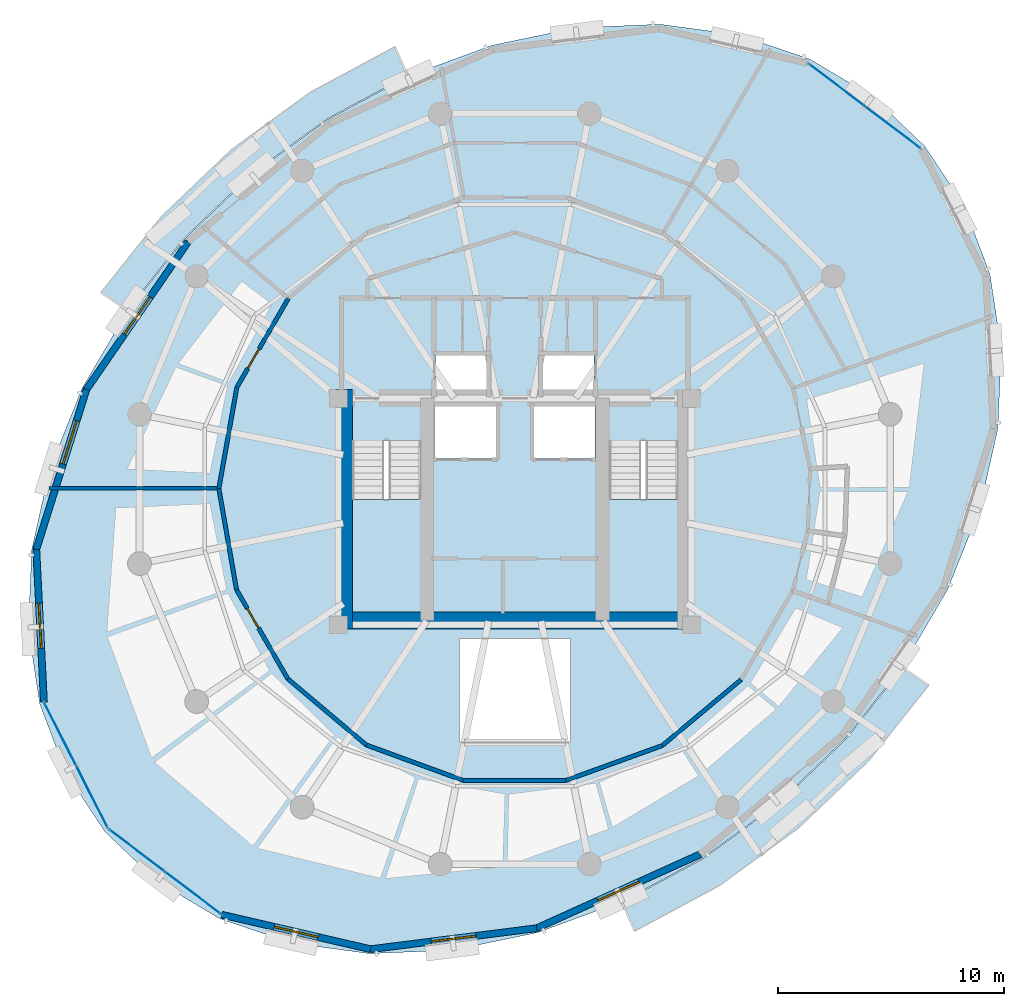
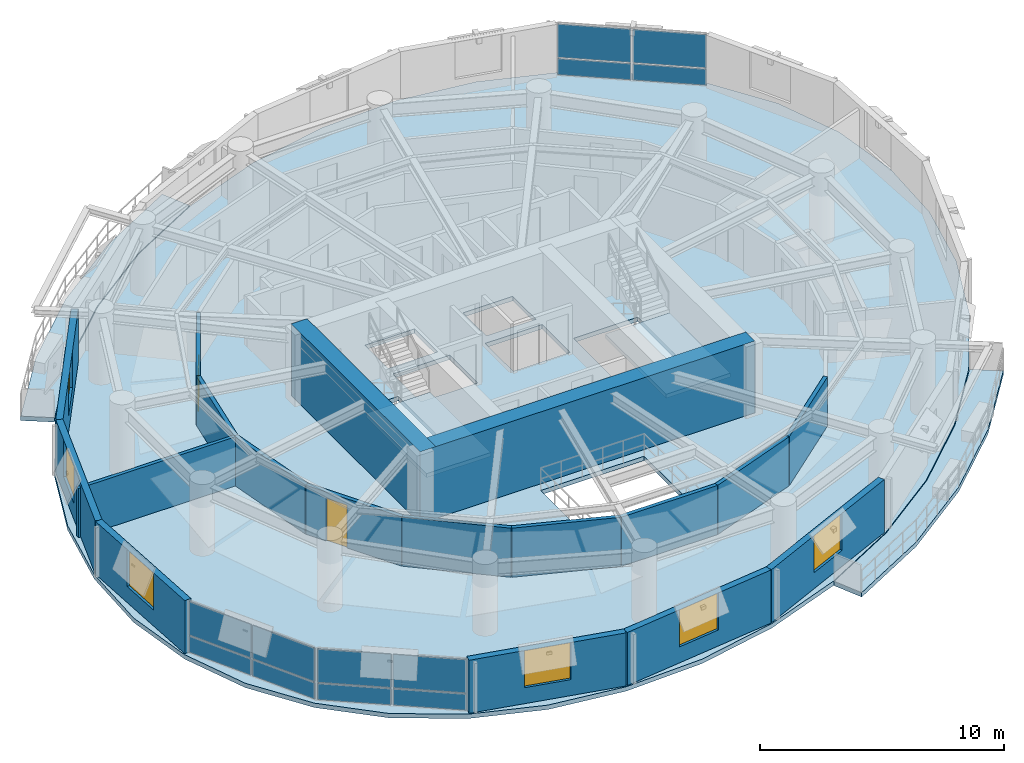
# One storey, part 7 of 12: 18 walls, 12 plates, 6 windows, 5 slabs, 2 doors, 8 openings, 5 elements without a shape of their own.
"""IFC4 building model written with IfcOpenShell, lengths in metres."""

from ifc_helpers import new_model, si_unit, direction, frame, frame_2d, origin, origin_2d, place, context, subcontext, project, spatial, polyline, rectangle, outline, extrude, material, layer, layer_set, type_object, element, fill, aggregate, save


model = new_model("IFC4")

# Units and contexts
model_context = context("Model", 3, precision=1e-05, world=origin(), true_north=direction((0.0, 1.0)))
body_context = subcontext(model_context, "Body", "Model", "MODEL_VIEW")
ifc_project = project(units=[si_unit("LENGTHUNIT", "METRE"), si_unit("AREAUNIT", "SQUARE_METRE"), si_unit("VOLUMEUNIT", "CUBIC_METRE"), si_unit("PLANEANGLEUNIT", "RADIAN"), si_unit("MASSUNIT", "GRAM", prefix="KILO"), si_unit("THERMODYNAMICTEMPERATUREUNIT", "KELVIN"), si_unit("POWERUNIT", "WATT")], contexts=[model_context])

# Site, building, storey
site_placement = place(None, origin())
site = spatial("IfcSite", under=ifc_project, at=site_placement, CompositionType="ELEMENT")
building_placement = place(site_placement, origin())
building = spatial("IfcBuilding", under=site, at=building_placement, Name="Ocrelia Relay Tower", CompositionType="ELEMENT")
storey_placement = place(building_placement, frame((0.0, 0.0, 198.800048828125)))
storey = spatial("IfcBuildingStorey", under=building, at=storey_placement, Name="L48", CompositionType="ELEMENT", Elevation=198.800048828125)

# Curtain wall, plates
ifc_material_1 = material(Name="Aluminium and solar-control low-E glass", Category="aluminium")
ifc_layer_1 = layer(ifc_material_1, 0.179931640625, Name="Aluminium and solar-control low-E glass")
ifc_layer_set_1 = layer_set([ifc_layer_1], Name="Aluminium and solar-control low-E glass")
curtain_wall_type = type_object("IfcCurtainWallType", Name="CW-SYS-Z3-CLOU", PredefinedType="NOTDEFINED", material=ifc_layer_set_1)
curtain_wall_1_placement = place(storey_placement, origin())
curtain_wall_1 = element("IfcCurtainWall", 1, at=curtain_wall_1_placement, inside=storey, type_object=curtain_wall_type, Name="L48 Elliptical Tower Curtain Wall Bay 01", PredefinedType="NOTDEFINED")
ifc_material_2 = material(Name="Clear double-glazed low-E glass", Category="glass")
ifc_layer_2 = layer(ifc_material_2, 0.031982421875, Name="Clear double-glazed low-E glass")
ifc_layer_set_2 = layer_set([ifc_layer_2], Name="Clear double-glazed low-E glass")
plate_type = type_object("IfcPlateType", Name="CW-SYS-Z3-CLOU-PNL", PredefinedType="CURTAIN_PANEL", material=ifc_layer_set_2)
plate_1_placement = place(storey_placement, frame((50.686279296875, 41.967529296875, 0.059814453125), z_axis=(0.0, 0.0, 1.0), x_axis=(-0.79737761196, 0.603480690615, 0.0)))
plate_1 = element("IfcPlate", 2, at=plate_1_placement, type_object=plate_type, Name="CW-Z3 panel 1.1", PredefinedType="CURTAIN_PANEL", context=body_context, shape_type="SweptSolid", body=[
    extrude(rectangle(XDim=3.0439453125, YDim=0.031982421875, at=origin_2d()), origin(), (0.0, 0.0, 1.0), 0.81005859375),
])
plate_2_placement = place(storey_placement, frame((50.686279296875, 41.967529296875, 0.929931640625), z_axis=(0.0, 0.0, 1.0), x_axis=(-0.79737761196, 0.603480690615, 0.0)))
plate_2 = element("IfcPlate", 3, at=plate_2_placement, type_object=plate_type, Name="CW-Z3 panel 1.2", PredefinedType="CURTAIN_PANEL", context=body_context, shape_type="SweptSolid", body=[
    extrude(rectangle(XDim=3.0439453125, YDim=0.031982421875, at=origin_2d()), origin(), (0.0, 0.0, 1.0), 1.669921875),
])
plate_3_placement = place(storey_placement, frame((48.207275390625, 43.84375, 0.059814453125), z_axis=(0.0, 0.0, 1.0), x_axis=(-0.79737761196, 0.603480690615, 0.0)))
plate_3 = element("IfcPlate", 4, at=plate_3_placement, type_object=plate_type, Name="CW-Z3 panel 2.1", PredefinedType="CURTAIN_PANEL", context=body_context, shape_type="SweptSolid", body=[
    extrude(rectangle(XDim=3.0439453125, YDim=0.031982421875, at=origin_2d()), origin(), (0.0, 0.0, 1.0), 0.81005859375),
])
plate_4_placement = place(storey_placement, frame((48.207275390625, 43.84375, 0.929931640625), z_axis=(0.0, 0.0, 1.0), x_axis=(-0.79737761196, 0.603480690615, 0.0)))
plate_4 = element("IfcPlate", 5, at=plate_4_placement, type_object=plate_type, Name="CW-Z3 panel 2.2", PredefinedType="CURTAIN_PANEL", context=body_context, shape_type="SweptSolid", body=[
    extrude(rectangle(XDim=3.0439453125, YDim=0.031982421875, at=origin_2d()), origin(), (0.0, 0.0, 1.0), 1.669921875),
])
aggregate(curtain_wall_1, [plate_1, plate_2, plate_3, plate_4])

curtain_wall_2_placement = place(storey_placement, origin())
curtain_wall_2 = element("IfcCurtainWall", 6, at=curtain_wall_2_placement, inside=storey, type_object=curtain_wall_type, Name="L48 Elliptical Tower Curtain Wall Bay 09", PredefinedType="NOTDEFINED")
plate_5_placement = place(storey_placement, frame((13.92236328125, 15.177001953125, 0.059814453125), z_axis=(0.0, 0.0, 1.0), x_axis=(0.4527377224, -0.891643737552, 0.0)))
plate_5 = element("IfcPlate", 7, at=plate_5_placement, type_object=plate_type, Name="CW-Z3 panel 1.1", PredefinedType="CURTAIN_PANEL", context=body_context, shape_type="SweptSolid", body=[
    extrude(rectangle(XDim=3.0439453125, YDim=0.031982421875, at=origin_2d()), origin(), (0.0, 0.0, 1.0), 0.81005859375),
])
plate_6_placement = place(storey_placement, frame((13.92236328125, 15.177001953125, 0.929931640625), z_axis=(0.0, 0.0, 1.0), x_axis=(0.4527377224, -0.891643737552, 0.0)))
plate_6 = element("IfcPlate", 8, at=plate_6_placement, type_object=plate_type, Name="CW-Z3 panel 1.2", PredefinedType="CURTAIN_PANEL", context=body_context, shape_type="SweptSolid", body=[
    extrude(rectangle(XDim=3.0439453125, YDim=0.031982421875, at=origin_2d()), origin(), (0.0, 0.0, 1.0), 1.669921875),
])
plate_7_placement = place(storey_placement, frame((15.329833984375, 12.405029296875, 0.059814453125), z_axis=(0.0, 0.0, 1.0), x_axis=(0.4527377224, -0.891643737552, 0.0)))
plate_7 = element("IfcPlate", 9, at=plate_7_placement, type_object=plate_type, Name="CW-Z3 panel 2.1", PredefinedType="CURTAIN_PANEL", context=body_context, shape_type="SweptSolid", body=[
    extrude(rectangle(XDim=3.0439453125, YDim=0.031982421875, at=origin_2d()), origin(), (0.0, 0.0, 1.0), 0.81005859375),
])
plate_8_placement = place(storey_placement, frame((15.329833984375, 12.405029296875, 0.929931640625), z_axis=(0.0, 0.0, 1.0), x_axis=(0.4527377224, -0.891643737552, 0.0)))
plate_8 = element("IfcPlate", 10, at=plate_8_placement, type_object=plate_type, Name="CW-Z3 panel 2.2", PredefinedType="CURTAIN_PANEL", context=body_context, shape_type="SweptSolid", body=[
    extrude(rectangle(XDim=3.0439453125, YDim=0.031982421875, at=origin_2d()), origin(), (0.0, 0.0, 1.0), 1.669921875),
])
aggregate(curtain_wall_2, [plate_5, plate_6, plate_7, plate_8])

curtain_wall_3_placement = place(storey_placement, origin())
curtain_wall_3 = element("IfcCurtainWall", 11, at=curtain_wall_3_placement, inside=storey, type_object=curtain_wall_type, Name="L48 Elliptical Tower Curtain Wall Bay 10", PredefinedType="NOTDEFINED")
plate_9_placement = place(storey_placement, frame((17.313720703125, 10.032470703125, 0.059814453125), z_axis=(0.0, 0.0, 1.0), x_axis=(0.79737761196, -0.603480690615, 0.0)))
plate_9 = element("IfcPlate", 12, at=plate_9_placement, type_object=plate_type, Name="CW-Z3 panel 1.1", PredefinedType="CURTAIN_PANEL", context=body_context, shape_type="SweptSolid", body=[
    extrude(rectangle(XDim=3.0439453125, YDim=0.031982421875, at=origin_2d()), origin(), (0.0, 0.0, 1.0), 0.81005859375),
])
plate_10_placement = place(storey_placement, frame((17.313720703125, 10.032470703125, 0.929931640625), z_axis=(0.0, 0.0, 1.0), x_axis=(0.79737761196, -0.603480690615, 0.0)))
plate_10 = element("IfcPlate", 13, at=plate_10_placement, type_object=plate_type, Name="CW-Z3 panel 1.2", PredefinedType="CURTAIN_PANEL", context=body_context, shape_type="SweptSolid", body=[
    extrude(rectangle(XDim=3.0439453125, YDim=0.031982421875, at=origin_2d()), origin(), (0.0, 0.0, 1.0), 1.669921875),
])
plate_11_placement = place(storey_placement, frame((19.792724609375, 8.15625, 0.059814453125), z_axis=(0.0, 0.0, 1.0), x_axis=(0.79737761196, -0.603480690615, 0.0)))
plate_11 = element("IfcPlate", 14, at=plate_11_placement, type_object=plate_type, Name="CW-Z3 panel 2.1", PredefinedType="CURTAIN_PANEL", context=body_context, shape_type="SweptSolid", body=[
    extrude(rectangle(XDim=3.0439453125, YDim=0.031982421875, at=origin_2d()), origin(), (0.0, 0.0, 1.0), 0.81005859375),
])
plate_12_placement = place(storey_placement, frame((19.792724609375, 8.15625, 0.929931640625), z_axis=(0.0, 0.0, 1.0), x_axis=(0.79737761196, -0.603480690615, 0.0)))
plate_12 = element("IfcPlate", 15, at=plate_12_placement, type_object=plate_type, Name="CW-Z3 panel 2.2", PredefinedType="CURTAIN_PANEL", context=body_context, shape_type="SweptSolid", body=[
    extrude(rectangle(XDim=3.0439453125, YDim=0.031982421875, at=origin_2d()), origin(), (0.0, 0.0, 1.0), 1.669921875),
])
aggregate(curtain_wall_3, [plate_9, plate_10, plate_11, plate_12])

# Slabs
ifc_material_3 = material(Name="Precast concrete C40/50", Category="concrete")
ifc_layer_3 = layer(ifc_material_3, 0.219970703125, Name="Precast concrete C40/50")
ifc_layer_set_3 = layer_set([ifc_layer_3], Name="Precast concrete C40/50")
slab_type_1 = type_object("IfcSlabType", Name="SL-BALC-220", PredefinedType="FLOOR", material=ifc_layer_set_3)
slab_1_placement = place(storey_placement, frame((0.0, 0.0, -0.219970703125)))
element("IfcSlab", 16, at=slab_1_placement, inside=storey, type_object=slab_type_1, Name="L48 Planted Loggia Balcony B1", PredefinedType="FLOOR", context=body_context, shape_type="SweptSolid", body=[
    extrude(outline(polyline([(29.27001953125, 44.25341796875), (27.48193359375, 43.291259765625), (25.694091796875, 42.3291015625), (22.37060546875, 39.90869140625), (19.39990234375, 37.06640625), (18.136474609375, 35.47705078125), (16.872802734375, 33.8876953125), (15.723876953125, 34.676025390625), (17.047119140625, 36.340576171875), (18.37060546875, 38.005126953125), (21.476806640625, 40.9775390625), (24.9521484375, 43.50830078125), (26.824951171875, 44.51611328125), (28.697509765625, 45.523681640625), (29.27001953125, 44.25341796875)])), origin(), (0.0, 0.0, 1.0), 0.219970703125),
])
slab_2_placement = place(storey_placement, frame((0.0, 0.0, -0.219970703125)))
element("IfcSlab", 17, at=slab_2_placement, inside=storey, type_object=slab_type_1, Name="L48 Planted Loggia Balcony B2", PredefinedType="FLOOR", context=body_context, shape_type="SweptSolid", body=[
    extrude(outline(polyline([(38.72998046875, 7.74658203125), (40.51806640625, 8.708740234375), (42.305908203125, 9.6708984375), (45.62939453125, 12.09130859375), (48.60009765625, 14.93359375), (49.863525390625, 16.52294921875), (51.127197265625, 18.1123046875), (52.276123046875, 17.323974609375), (50.952880859375, 15.6591796875), (49.62939453125, 13.994873046875), (46.523193359375, 11.0224609375), (43.0478515625, 8.49169921875), (41.17529296875, 7.48388671875), (39.302490234375, 6.476318359375), (38.72998046875, 7.74658203125)])), origin(), (0.0, 0.0, 1.0), 0.219970703125),
])
ifc_material_4 = material(Name="Concrete C50/60", Category="concrete")
ifc_layer_4 = layer(ifc_material_4, 0.219970703125, Name="Concrete C50/60")
ifc_layer_set_4 = layer_set([ifc_layer_4], Name="Concrete C50/60")
slab_type_2 = type_object("IfcSlabType", Name="SL-FLR-220", PredefinedType="FLOOR", material=ifc_layer_set_4)
slab_3_placement = place(storey_placement, frame((0.0, 0.0, -0.219970703125)))
element("IfcSlab", 18, at=slab_3_placement, inside=storey, type_object=slab_type_2, Name="L48 Elliptical Tower Floor Slab", PredefinedType="FLOOR", context=body_context, shape_type="SweptSolid", body=[
    extrude(outline(polyline([(52.10498046875, 41.13818359375), (49.81396484375, 43.319580078125), (47.042236328125, 44.974609375), (43.87451171875, 46.052978515625), (40.406494140625, 46.522216796875), (36.743896484375, 46.36767578125), (32.997802734375, 45.594482421875), (29.2822265625, 44.225830078125), (25.710205078125, 42.303466796875), (22.389892578125, 39.8857421875), (19.422119140625, 37.0458984375), (16.897705078125, 33.87060546875), (14.892578125, 30.456298828125), (13.46826171875, 26.906494140625), (12.667724609375, 23.3291015625), (12.515380859375, 19.832763671875), (13.015869140625, 16.52392578125), (14.15380859375, 13.5029296875), (15.89501953125, 10.86181640625), (18.18603515625, 8.680419921875), (20.957763671875, 7.025390625), (24.12548828125, 5.947021484375), (27.593505859375, 5.477783203125), (31.256103515625, 5.63232421875), (35.002197265625, 6.405517578125), (38.7177734375, 7.774169921875), (42.289794921875, 9.696533203125), (45.610107421875, 12.1142578125), (48.577880859375, 14.9541015625), (51.102294921875, 18.12939453125), (53.107421875, 21.543701171875), (54.53173828125, 25.093505859375), (55.332275390625, 28.6708984375), (55.484619140625, 32.167236328125), (54.984130859375, 35.47607421875), (53.84619140625, 38.4970703125), (52.10498046875, 41.13818359375)]), holes=[polyline([(26.81005859375, 28.14990234375), (26.81005859375, 20.550048828125), (29.85009765625, 20.550048828125), (29.85009765625, 28.14990234375), (26.81005859375, 28.14990234375)]), polyline([(38.159912109375, 28.14990234375), (38.159912109375, 20.550048828125), (41.199951171875, 20.550048828125), (41.199951171875, 28.14990234375), (38.159912109375, 28.14990234375)]), polyline([(30.4599609375, 27.35009765625), (33.159912109375, 27.35009765625), (33.159912109375, 29.64990234375), (30.4599609375, 29.64990234375), (30.4599609375, 27.35009765625)]), polyline([(34.840087890625, 27.35009765625), (37.5400390625, 27.35009765625), (37.5400390625, 29.64990234375), (34.840087890625, 29.64990234375), (34.840087890625, 27.35009765625)]), polyline([(30.5, 30.10009765625), (32.85009765625, 30.10009765625), (32.85009765625, 32.0), (30.5, 32.0), (30.5, 30.10009765625)]), polyline([(35.14990234375, 30.10009765625), (37.5, 30.10009765625), (37.5, 32.0), (35.14990234375, 32.0), (35.14990234375, 30.10009765625)]), polyline([(31.550048828125, 14.800048828125), (36.449951171875, 14.800048828125), (36.449951171875, 19.39990234375), (31.550048828125, 19.39990234375), (31.550048828125, 14.800048828125)])]), origin(), (0.0, 0.0, 1.0), 0.219970703125),
])

# Stair, slab
stair_type = type_object("IfcStairType", Name="ST-DL-1420-R180", PredefinedType="HALF_TURN_STAIR", material=ifc_material_4)
stair_1_placement = place(storey_placement, origin())
stair_1 = element("IfcStair", 19, at=stair_1_placement, inside=storey, type_object=stair_type, Name="L48 West Core Exit Stair ST1", PredefinedType="HALF_TURN_STAIR")
ifc_layer_5 = layer(ifc_material_4, 0.199951171875, Name="Concrete C50/60")
ifc_layer_set_5 = layer_set([ifc_layer_5], Name="Concrete C50/60")
slab_type_3 = type_object("IfcSlabType", Name="SL-LANDING-200", PredefinedType="LANDING", material=ifc_layer_set_5)
slab_4_placement = place(storey_placement, frame((0.0, 0.0, 1.599853515625)))
slab_4 = element("IfcSlab", 20, at=slab_4_placement, type_object=slab_type_3, Name="ST1 landing 1", PredefinedType="LANDING", context=body_context, shape_type="SweptSolid", body=[
    extrude(outline(polyline([(26.81005859375, 25.5400390625), (26.81005859375, 20.550048828125), (29.85009765625, 20.550048828125), (29.85009765625, 25.5400390625), (26.81005859375, 25.5400390625)])), origin(), (0.0, 0.0, 1.0), 0.2001953125),
])
aggregate(stair_1, [slab_4])

stair_2_placement = place(storey_placement, origin())
stair_2 = element("IfcStair", 21, at=stair_2_placement, inside=storey, type_object=stair_type, Name="L48 East Core Exit Stair ST2", PredefinedType="HALF_TURN_STAIR")
slab_5_placement = place(storey_placement, frame((0.0, 0.0, 1.599853515625)))
slab_5 = element("IfcSlab", 22, at=slab_5_placement, type_object=slab_type_3, Name="ST2 landing 1", PredefinedType="LANDING", context=body_context, shape_type="SweptSolid", body=[
    extrude(outline(polyline([(38.159912109375, 25.5400390625), (38.159912109375, 20.550048828125), (41.199951171875, 20.550048828125), (41.199951171875, 25.5400390625), (38.159912109375, 25.5400390625)])), origin(), (0.0, 0.0, 1.0), 0.2001953125),
])
aggregate(stair_2, [slab_5])

# Walls
ifc_material_5 = material(Name="Concrete C60/75", Category="concrete")
ifc_layer_6 = layer(ifc_material_5, 0.75, Name="Concrete C60/75")
ifc_layer_set_6 = layer_set([ifc_layer_6], Name="Concrete C60/75")
wall_type_1 = type_object("IfcWallType", Name="CW-CORE-750", PredefinedType="SHEAR", material=ifc_layer_set_6)
wall_1_placement = place(storey_placement, frame((26.072021484375, 20.18701171875, 0.0), z_axis=(0.0, 0.0, 1.0), x_axis=(1.0, 0.0, 0.0)))
element("IfcWall", 23, at=wall_1_placement, inside=storey, type_object=wall_type_1, Name="L48 Core Shear Wall S", PredefinedType="SHEAR", context=body_context, shape_type="SweptSolid", body=[
    extrude(rectangle(XDim=15.865966796875, YDim=0.75, at=frame_2d((7.93310546875, 0.0))), origin(), (0.0, 0.0, 1.0), 3.599853515625),
])
wall_2_placement = place(storey_placement, frame((26.447021484375, 19.81201171875, 0.0), z_axis=(0.0, 0.0, 1.0), x_axis=(0.0, 1.0, 0.0)))
element("IfcWall", 24, at=wall_2_placement, inside=storey, type_object=wall_type_1, Name="L48 Core Shear Wall W", PredefinedType="SHEAR", context=body_context, shape_type="SweptSolid", body=[
    extrude(rectangle(XDim=10.575927734375, YDim=0.75, at=frame_2d((5.2880859375, 0.0))), origin(), (0.0, 0.0, 1.0), 3.599853515625),
])

# Wall, opening, door
ifc_material_6 = material(Name="Gypsum Fireboard Partition EI60", Category="gypsum")
ifc_layer_7 = layer(ifc_material_6, 0.179931640625, Name="Gypsum Fireboard Partition EI60")
ifc_layer_set_7 = layer_set([ifc_layer_7], Name="Gypsum Fireboard Partition EI60")
wall_type_2 = type_object("IfcWallType", Name="W-CORR-EI60-180", PredefinedType="PARTITIONING", material=ifc_layer_set_7)
wall_3_placement = place(storey_placement, frame((24.00244140625, 34.418701171875, 0.0), z_axis=(0.0, 0.0, 1.0), x_axis=(-0.501504764034, -0.865154883042, 0.0)))
wall_3 = element("IfcWall", 25, at=wall_3_placement, inside=storey, type_object=wall_type_2, Name="L48 Platform Office E Corridor Partition 1", PredefinedType="PARTITIONING", context=body_context, shape_type="SweptSolid", body=[
    extrude(rectangle(XDim=4.5390625, YDim=0.179931640625, at=frame_2d((2.26953125, 0.0))), origin(), (0.0, 0.0, 1.0), 2.4599609375),
])
opening_1_placement = place(wall_3_placement, frame((2.579345703125, 0.0, 0.0)))
opening_1 = element("IfcOpeningElement", 26, at=opening_1_placement, cuts=wall_3, Name="Opening D-RM100", PredefinedType="OPENING", context=body_context, shape_type="SweptSolid", body=[
    extrude(rectangle(XDim=1.0, YDim=2.14990234375, at=frame_2d((0.5, 1.074951171875))), frame((0.0, 0.10009765625, 0.0), z_axis=(0.0, -1.0, 0.0), x_axis=(1.0, 0.0, 0.0)), (0.0, 0.0, 1.0), 0.199951171875),
])
ifc_material_7 = material(Name="Acoustic oak veneer fire door", Category="wood")
door_type = type_object("IfcDoorType", Name="DR-ROOM-FD60-1000", OperationType="NOTDEFINED", PredefinedType="DOOR", material=ifc_material_7)
door_1_placement = place(opening_1_placement, origin())
door_1 = element("IfcDoor", 27, at=door_1_placement, inside=storey, type_object=door_type, Name="L48 Platform Office E Entrance Door", OperationType="SINGLE_SWING_RIGHT", OverallHeight=2.14990234375, OverallWidth=1.0, PredefinedType="DOOR", context=body_context, shape_type="SweptSolid", body=[
    extrude(rectangle(XDim=1.0, YDim=2.14990234375, at=frame_2d((0.5, 1.074951171875))), frame((0.0, 0.02490234375, 0.0), z_axis=(0.0, -1.0, 0.0), x_axis=(1.0, 0.0, 0.0)), (0.0, 0.0, 1.0), 0.050048828125),
])
fill(opening_1, door_1)

# Walls
wall_4_placement = place(storey_placement, frame((21.72607421875, 30.49169921875, 0.0), z_axis=(0.0, 0.0, 1.0), x_axis=(-0.175386685355, -0.984499624479, 0.0)))
element("IfcWall", 28, at=wall_4_placement, inside=storey, type_object=wall_type_2, Name="L48 Platform Office E Corridor Partition 2", PredefinedType="PARTITIONING", context=body_context, shape_type="SweptSolid", body=[
    extrude(rectangle(XDim=4.539306640625, YDim=0.179931640625, at=frame_2d((2.26953125, 0.0))), origin(), (0.0, 0.0, 1.0), 2.4599609375),
])
wall_5_placement = place(storey_placement, frame((20.929931640625, 26.022705078125, 0.0), z_axis=(0.0, 0.0, 1.0), x_axis=(0.171956284288, -0.985104581399, 0.0)))
element("IfcWall", 29, at=wall_5_placement, inside=storey, type_object=wall_type_2, Name="L48 Monitoring Office F Corridor Partition 1", PredefinedType="PARTITIONING", context=body_context, shape_type="SweptSolid", body=[
    extrude(rectangle(XDim=4.5390625, YDim=0.179931640625, at=frame_2d((2.26953125, 0.0))), origin(), (0.0, 0.0, 1.0), 2.4599609375),
])

# Wall, opening, door
wall_6_placement = place(storey_placement, frame((21.71044921875, 21.55126953125, 0.0), z_axis=(0.0, 0.0, 1.0), x_axis=(0.498477187347, -0.866902816753, 0.0)))
wall_6 = element("IfcWall", 30, at=wall_6_placement, inside=storey, type_object=wall_type_2, Name="L48 Monitoring Office F Corridor Partition 2", PredefinedType="PARTITIONING", context=body_context, shape_type="SweptSolid", body=[
    extrude(rectangle(XDim=4.539306640625, YDim=0.179931640625, at=frame_2d((2.26953125, 0.0))), origin(), (0.0, 0.0, 1.0), 2.4599609375),
])
opening_2_placement = place(wall_6_placement, frame((0.959716796875, 0.0, 0.0)))
opening_2 = element("IfcOpeningElement", 31, at=opening_2_placement, cuts=wall_6, Name="Opening D-RM100", PredefinedType="OPENING", context=body_context, shape_type="SweptSolid", body=[
    extrude(rectangle(XDim=1.0, YDim=2.14990234375, at=frame_2d((0.5, 1.074951171875))), frame((0.0, 0.10009765625, 0.0), z_axis=(0.0, -1.0, 0.0), x_axis=(1.0, 0.0, 0.0)), (0.0, 0.0, 1.0), 0.199951171875),
])
door_2_placement = place(opening_2_placement, origin())
door_2 = element("IfcDoor", 32, at=door_2_placement, inside=storey, type_object=door_type, Name="L48 Monitoring Office F Entrance Door", OperationType="SINGLE_SWING_LEFT", OverallHeight=2.14990234375, OverallWidth=1.0, PredefinedType="DOOR", context=body_context, shape_type="SweptSolid", body=[
    extrude(rectangle(XDim=1.0, YDim=2.14990234375, at=frame_2d((0.5, 1.074951171875))), frame((0.0, 0.02490234375, 0.0), z_axis=(0.0, -1.0, 0.0), x_axis=(1.0, 0.0, 0.0)), (0.0, 0.0, 1.0), 0.050048828125),
])
fill(opening_2, door_2)

# Walls
wall_7_placement = place(storey_placement, frame((23.97314453125, 17.6162109375, 0.0), z_axis=(0.0, 0.0, 1.0), x_axis=(0.764922355877, -0.64412249571, 0.0)))
element("IfcWall", 33, at=wall_7_placement, inside=storey, type_object=wall_type_2, Name="L48 Monitoring Office F Corridor Partition 3", PredefinedType="PARTITIONING", context=body_context, shape_type="SweptSolid", body=[
    extrude(rectangle(XDim=4.539306640625, YDim=0.179931640625, at=frame_2d((2.26953125, 0.0))), origin(), (0.0, 0.0, 1.0), 2.4599609375),
])
for number, where, z_axis, x_axis, name in (
    (34, (27.4453125, 14.6923828125, 0.0), (0.0, 0.0, 1.0), (0.93910210925, -0.343638223139, 0.0), "L48 Monitoring Office F Corridor Partition 4"),
    (35, (31.7080078125, 13.132568359375, 0.0), (0.0, 0.0, 1.0), (0.999998424768, -0.001774954175, 0.0), "L48 Monitoring Office F Corridor Partition 5"),
    (36, (36.2470703125, 13.12451171875, 0.0), (0.0, 0.0, 1.0), (0.940277723182, 0.340408289099, 0.0), "L48 Monitoring Office F Corridor Partition 6"),
):
    element("IfcWall", number, at=place(storey_placement, frame(where, z_axis=z_axis, x_axis=x_axis)), inside=storey, type_object=wall_type_2, Name=name, PredefinedType="PARTITIONING", context=body_context, shape_type="SweptSolid", body=[
        extrude(rectangle(XDim=4.5390625, YDim=0.179931640625, at=frame_2d((2.26953125, 0.0))), origin(), (0.0, 0.0, 1.0), 2.4599609375),
    ])
wall_8_placement = place(storey_placement, frame((40.51513671875, 14.669677734375, 0.0), z_axis=(0.0, 0.0, 1.0), x_axis=(0.767179846664, 0.641432056318, 0.0)))
element("IfcWall", 37, at=wall_8_placement, inside=storey, type_object=wall_type_2, Name="L48 Monitoring Office F Corridor Partition 7", PredefinedType="PARTITIONING", context=body_context, shape_type="SweptSolid", body=[
    extrude(rectangle(XDim=4.539306640625, YDim=0.179931640625, at=frame_2d((2.26953125, 0.0))), origin(), (0.0, 0.0, 1.0), 2.4599609375),
])

# Wall, opening, window
ifc_material_8 = material(Name="Precast concrete C40/50 with oxide terracotta", Category="masonry")
ifc_layer_8 = layer(ifc_material_8, 0.300048828125, Name="Precast concrete C40/50 with oxide terracotta")
ifc_layer_set_8 = layer_set([ifc_layer_8], Name="Precast concrete C40/50 with oxide terracotta")
wall_type_3 = type_object("IfcWallType", Name="W-EXT-TERR-300", PredefinedType="SOLIDWALL", material=ifc_layer_set_8)
wall_9_placement = place(storey_placement, frame((19.5751953125, 36.917236328125, 0.0), z_axis=(0.0, 0.0, 1.0), x_axis=(-0.566991439019, -0.823723684302, 0.0)))
wall_9 = element("IfcWall", 38, at=wall_9_placement, inside=storey, type_object=wall_type_3, Name="L48 Oxide Terracotta Facade Wall 06", PredefinedType="SOLIDWALL", context=body_context, shape_type="SweptSolid", body=[
    extrude(rectangle(XDim=7.92724609375, YDim=0.300048828125, at=frame_2d((3.963623046875, 0.0))), origin(), (0.0, 0.0, 1.0), 2.659912109375),
])
opening_3_placement = place(wall_9_placement, frame((2.964111328125, 0.0, 0.800048828125)))
opening_3 = element("IfcOpeningElement", 39, at=opening_3_placement, cuts=wall_9, Name="Opening W-03", PredefinedType="OPENING", context=body_context, shape_type="SweptSolid", body=[
    extrude(rectangle(XDim=2.0, YDim=1.85009765625, at=frame_2d((1.0, 0.925048828125))), frame((0.0, 0.16015625, 0.0), z_axis=(0.0, -1.0, 0.0), x_axis=(1.0, 0.0, 0.0)), (0.0, 0.0, 1.0), 0.320068359375),
])
window_type = type_object("IfcWindowType", Name="WIN-Z3-2000x2200", PartitioningType="DOUBLE_PANEL_VERTICAL", PredefinedType="WINDOW", material=ifc_material_2)
window_1_placement = place(opening_3_placement, origin())
window_1 = element("IfcWindow", 40, at=window_1_placement, inside=storey, type_object=window_type, Name="L48 Facade Module Window 06", OverallHeight=1.85009765625, OverallWidth=2.0, PartitioningType="SINGLE_PANEL", PredefinedType="WINDOW", context=body_context, shape_type="SweptSolid", body=[
    extrude(rectangle(XDim=2.0, YDim=1.85009765625, at=frame_2d((1.0, 0.925048828125))), frame((0.0, 0.030029296875, 0.0), z_axis=(0.0, -1.0, 0.0), x_axis=(1.0, 0.0, 0.0)), (0.0, 0.0, 1.0), 0.06005859375),
])
fill(opening_3, window_1)

wall_10_placement = place(storey_placement, frame((15.08056640625, 30.387451171875, 0.0), z_axis=(0.0, 0.0, 1.0), x_axis=(-0.299107357188, -0.954219465781, 0.0)))
wall_10 = element("IfcWall", 41, at=wall_10_placement, inside=storey, type_object=wall_type_3, Name="L48 Oxide Terracotta Facade Wall 07", PredefinedType="SOLIDWALL", context=body_context, shape_type="SweptSolid", body=[
    extrude(rectangle(XDim=7.3974609375, YDim=0.300048828125, at=frame_2d((3.69873046875, 0.0))), origin(), (0.0, 0.0, 1.0), 2.659912109375),
])
opening_4_placement = place(wall_10_placement, frame((1.43896484375, 0.0, 0.800048828125)))
opening_4 = element("IfcOpeningElement", 42, at=opening_4_placement, cuts=wall_10, Name="Opening W-03", PredefinedType="OPENING", context=body_context, shape_type="SweptSolid", body=[
    extrude(rectangle(XDim=2.0, YDim=1.85009765625, at=frame_2d((1.0, 0.925048828125))), frame((0.0, 0.16015625, 0.0), z_axis=(0.0, -1.0, 0.0), x_axis=(1.0, 0.0, 0.0)), (0.0, 0.0, 1.0), 0.320068359375),
])
window_2_placement = place(opening_4_placement, origin())
window_2 = element("IfcWindow", 43, at=window_2_placement, inside=storey, type_object=window_type, Name="L48 Facade Module Window 07", OverallHeight=1.85009765625, OverallWidth=2.0, PartitioningType="SINGLE_PANEL", PredefinedType="WINDOW", context=body_context, shape_type="SweptSolid", body=[
    extrude(rectangle(XDim=2.0, YDim=1.85009765625, at=frame_2d((1.0, 0.925048828125))), frame((0.0, 0.030029296875, 0.0), z_axis=(0.0, -1.0, 0.0), x_axis=(1.0, 0.0, 0.0)), (0.0, 0.0, 1.0), 0.06005859375),
])
fill(opening_4, window_2)

wall_11_placement = place(storey_placement, frame((12.867919921875, 23.32861328125, 0.0), z_axis=(0.0, 0.0, 1.0), x_axis=(0.049805830219, -0.998758919498, 0.0)))
wall_11 = element("IfcWall", 44, at=wall_11_placement, inside=storey, type_object=wall_type_3, Name="L48 Oxide Terracotta Facade Wall 08", PredefinedType="SOLIDWALL", context=body_context, shape_type="SweptSolid", body=[
    extrude(rectangle(XDim=6.744873046875, YDim=0.300048828125, at=frame_2d((3.37255859375, 0.0))), origin(), (0.0, 0.0, 1.0), 2.659912109375),
])
opening_5_placement = place(wall_11_placement, frame((2.373046875, 0.0, 0.800048828125)))
opening_5 = element("IfcOpeningElement", 45, at=opening_5_placement, cuts=wall_11, Name="Opening W-03", PredefinedType="OPENING", context=body_context, shape_type="SweptSolid", body=[
    extrude(rectangle(XDim=2.0, YDim=1.85009765625, at=frame_2d((1.0, 0.925048828125))), frame((0.0, 0.16015625, 0.0), z_axis=(0.0, -1.0, 0.0), x_axis=(1.0, 0.0, 0.0)), (0.0, 0.0, 1.0), 0.320068359375),
])
window_3_placement = place(opening_5_placement, origin())
window_3 = element("IfcWindow", 46, at=window_3_placement, inside=storey, type_object=window_type, Name="L48 Facade Module Window 08", OverallHeight=1.85009765625, OverallWidth=2.0, PartitioningType="SINGLE_PANEL", PredefinedType="WINDOW", context=body_context, shape_type="SweptSolid", body=[
    extrude(rectangle(XDim=2.0, YDim=1.85009765625, at=frame_2d((1.0, 0.925048828125))), frame((0.0, 0.030029296875, 0.0), z_axis=(0.0, -1.0, 0.0), x_axis=(1.0, 0.0, 0.0)), (0.0, 0.0, 1.0), 0.06005859375),
])
fill(opening_5, window_3)

wall_12_placement = place(storey_placement, frame((21.05810546875, 7.198486328125, 0.0), z_axis=(0.0, 0.0, 1.0), x_axis=(0.9741502795, -0.225900936141, 0.0)))
wall_12 = element("IfcWall", 47, at=wall_12_placement, inside=storey, type_object=wall_type_3, Name="L48 Oxide Terracotta Facade Wall 11", PredefinedType="SOLIDWALL", context=body_context, shape_type="SweptSolid", body=[
    extrude(rectangle(XDim=6.744873046875, YDim=0.300048828125, at=frame_2d((3.37255859375, 0.0))), origin(), (0.0, 0.0, 1.0), 2.659912109375),
])
opening_6_placement = place(wall_12_placement, frame((2.373046875, 0.0, 0.800048828125)))
opening_6 = element("IfcOpeningElement", 48, at=opening_6_placement, cuts=wall_12, Name="Opening W-03", PredefinedType="OPENING", context=body_context, shape_type="SweptSolid", body=[
    extrude(rectangle(XDim=2.0, YDim=1.85009765625, at=frame_2d((1.0, 0.925048828125))), frame((0.0, 0.16015625, 0.0), z_axis=(0.0, -1.0, 0.0), x_axis=(1.0, 0.0, 0.0)), (0.0, 0.0, 1.0), 0.320068359375),
])
window_4_placement = place(opening_6_placement, origin())
window_4 = element("IfcWindow", 49, at=window_4_placement, inside=storey, type_object=window_type, Name="L48 Facade Module Window 11", OverallHeight=1.85009765625, OverallWidth=2.0, PartitioningType="SINGLE_PANEL", PredefinedType="WINDOW", context=body_context, shape_type="SweptSolid", body=[
    extrude(rectangle(XDim=2.0, YDim=1.85009765625, at=frame_2d((1.0, 0.925048828125))), frame((0.0, 0.030029296875, 0.0), z_axis=(0.0, -1.0, 0.0), x_axis=(1.0, 0.0, 0.0)), (0.0, 0.0, 1.0), 0.06005859375),
])
fill(opening_6, window_4)

wall_13_placement = place(storey_placement, frame((27.628662109375, 5.6748046875, 0.0), z_axis=(0.0, 0.0, 1.0), x_axis=(0.992104797667, 0.12541160411, 0.0)))
wall_13 = element("IfcWall", 50, at=wall_13_placement, inside=storey, type_object=wall_type_3, Name="L48 Oxide Terracotta Facade Wall 12", PredefinedType="SOLIDWALL", context=body_context, shape_type="SweptSolid", body=[
    extrude(rectangle(XDim=7.3974609375, YDim=0.300048828125, at=frame_2d((3.69873046875, 0.0))), origin(), (0.0, 0.0, 1.0), 2.659912109375),
])
opening_7_placement = place(wall_13_placement, frame((2.698974609375, 0.0, 0.800048828125)))
opening_7 = element("IfcOpeningElement", 51, at=opening_7_placement, cuts=wall_13, Name="Opening W-03", PredefinedType="OPENING", context=body_context, shape_type="SweptSolid", body=[
    extrude(rectangle(XDim=2.0, YDim=1.85009765625, at=frame_2d((1.0, 0.925048828125))), frame((0.0, 0.16015625, 0.0), z_axis=(0.0, -1.0, 0.0), x_axis=(1.0, 0.0, 0.0)), (0.0, 0.0, 1.0), 0.320068359375),
])
window_5_placement = place(opening_7_placement, origin())
window_5 = element("IfcWindow", 52, at=window_5_placement, inside=storey, type_object=window_type, Name="L48 Facade Module Window 12", OverallHeight=1.85009765625, OverallWidth=2.0, PartitioningType="SINGLE_PANEL", PredefinedType="WINDOW", context=body_context, shape_type="SweptSolid", body=[
    extrude(rectangle(XDim=2.0, YDim=1.85009765625, at=frame_2d((1.0, 0.925048828125))), frame((0.0, 0.030029296875, 0.0), z_axis=(0.0, -1.0, 0.0), x_axis=(1.0, 0.0, 0.0)), (0.0, 0.0, 1.0), 0.06005859375),
])
fill(opening_7, window_5)

wall_14_placement = place(storey_placement, frame((34.9677734375, 6.6025390625, 0.0), z_axis=(0.0, 0.0, 1.0), x_axis=(0.911105444466, 0.412173348318, 0.0)))
wall_14 = element("IfcWall", 53, at=wall_14_placement, inside=storey, type_object=wall_type_3, Name="L48 Oxide Terracotta Facade Wall 13", PredefinedType="SOLIDWALL", context=body_context, shape_type="SweptSolid", body=[
    extrude(rectangle(XDim=7.927001953125, YDim=0.300048828125, at=frame_2d((3.96337890625, 0.0))), origin(), (0.0, 0.0, 1.0), 2.659912109375),
])
opening_8_placement = place(wall_14_placement, frame((2.964111328125, 0.0, 0.800048828125)))
opening_8 = element("IfcOpeningElement", 54, at=opening_8_placement, cuts=wall_14, Name="Opening W-03", PredefinedType="OPENING", context=body_context, shape_type="SweptSolid", body=[
    extrude(rectangle(XDim=2.0, YDim=1.85009765625, at=frame_2d((1.0, 0.925048828125))), frame((0.0, 0.16015625, 0.0), z_axis=(0.0, -1.0, 0.0), x_axis=(1.0, 0.0, 0.0)), (0.0, 0.0, 1.0), 0.320068359375),
])
window_6_placement = place(opening_8_placement, origin())
window_6 = element("IfcWindow", 55, at=window_6_placement, inside=storey, type_object=window_type, Name="L48 Facade Module Window 13", OverallHeight=1.85009765625, OverallWidth=2.0, PartitioningType="SINGLE_PANEL", PredefinedType="WINDOW", context=body_context, shape_type="SweptSolid", body=[
    extrude(rectangle(XDim=2.0, YDim=1.85009765625, at=frame_2d((1.0, 0.925048828125))), frame((0.0, 0.030029296875, 0.0), z_axis=(0.0, -1.0, 0.0), x_axis=(1.0, 0.0, 0.0)), (0.0, 0.0, 1.0), 0.06005859375),
])
fill(opening_8, window_6)

# Wall
ifc_material_9 = material(Name="Acoustic Fireboard Partition EI60", Category="gypsum")
ifc_layer_9 = layer(ifc_material_9, 0.159912109375, Name="Acoustic Fireboard Partition EI60")
ifc_layer_set_9 = layer_set([ifc_layer_9], Name="Acoustic Fireboard Partition EI60")
wall_type_4 = type_object("IfcWallType", Name="W-PART-160", PredefinedType="PARTITIONING", material=ifc_layer_set_9)
wall_15_placement = place(storey_placement, frame((20.929931640625, 26.022705078125, 0.0), z_axis=(0.0, 0.0, 1.0), x_axis=(-0.999998458866, 0.001755638103, 0.0)))
element("IfcWall", 56, at=wall_15_placement, inside=storey, type_object=wall_type_4, Name="L48 Platform Office E Radial Partition", PredefinedType="PARTITIONING", context=body_context, shape_type="SweptSolid", body=[
    extrude(rectangle(XDim=7.50927734375, YDim=0.159912109375, at=frame_2d((3.754638671875, 0.0))), origin(), (0.0, 0.0, 1.0), 2.4599609375),
])

save(model, "model.ifc")
